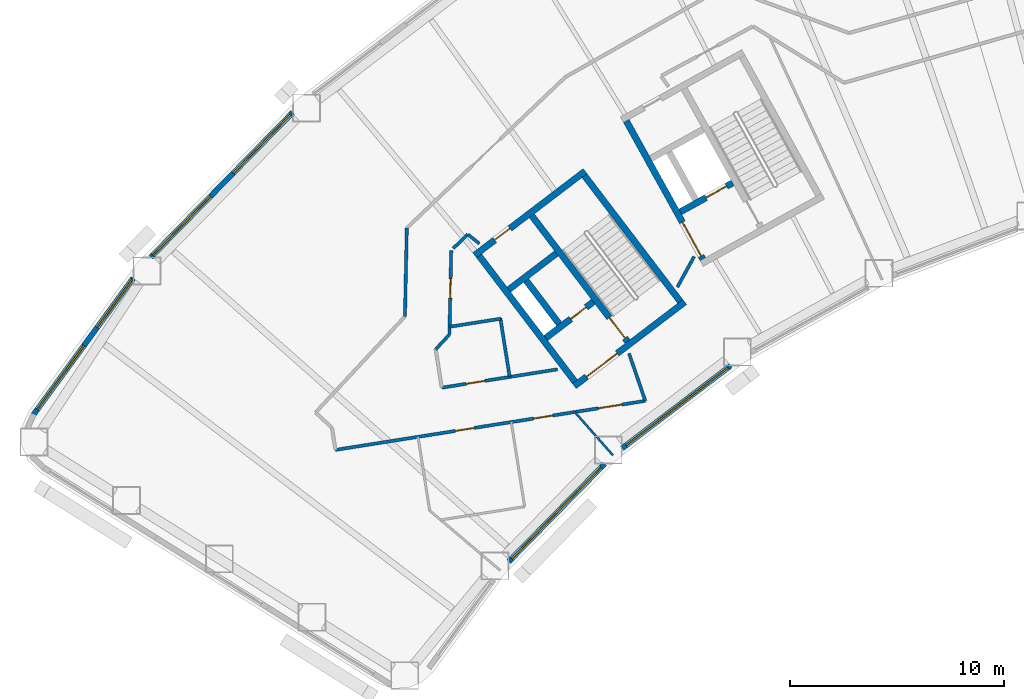
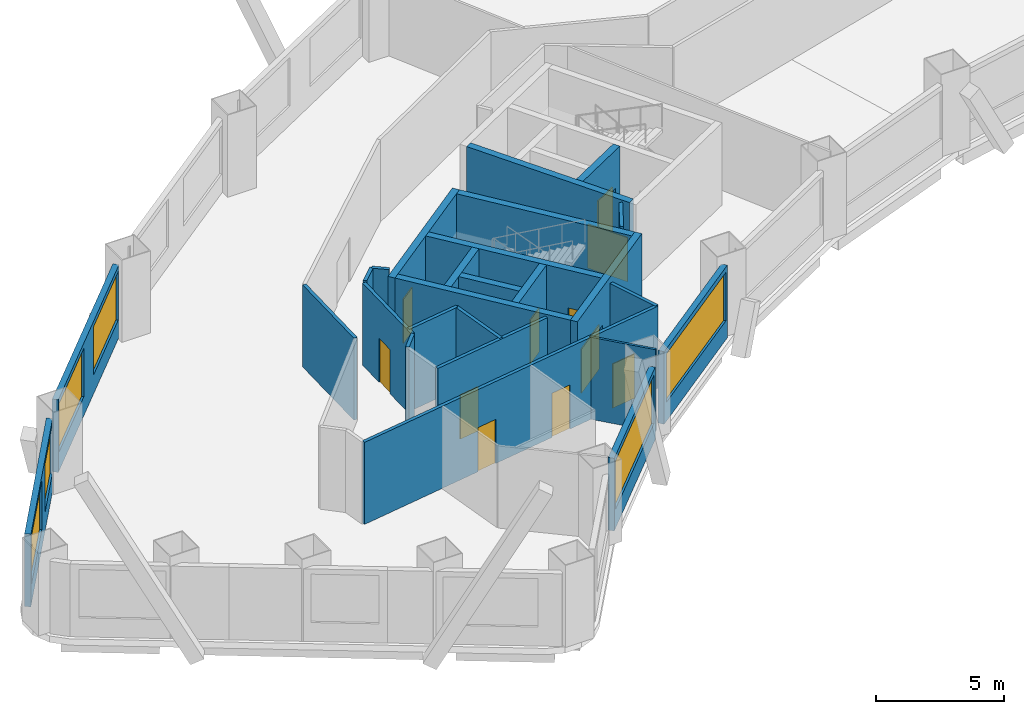
# One storey, part 3 of 11: 26 walls, 11 doors, 6 windows, 17 openings.
"""IFC4 building model written with IfcOpenShell, lengths in metres."""

from ifc_helpers import new_model, si_unit, direction, frame, frame_2d, origin, place, context, subcontext, project, spatial, rectangle, extrude, material, layer, layer_set, type_object, element, fill, save


model = new_model("IFC4")

# Units and contexts
model_context = context("Model", 3, precision=1e-05, world=origin(), true_north=direction((0.0, 1.0)))
body_context = subcontext(model_context, "Body", "Model", "MODEL_VIEW")
ifc_project = project(units=[si_unit("LENGTHUNIT", "METRE"), si_unit("AREAUNIT", "SQUARE_METRE"), si_unit("VOLUMEUNIT", "CUBIC_METRE"), si_unit("PLANEANGLEUNIT", "RADIAN"), si_unit("MASSUNIT", "GRAM", prefix="KILO")], contexts=[model_context])

# Site, building, storey
site_placement = place(None, origin())
site = spatial("IfcSite", under=ifc_project, at=site_placement, CompositionType="ELEMENT")
building_placement = place(site_placement, origin())
building = spatial("IfcBuilding", under=site, at=building_placement, Name="Tuul Gate Civic Tower", CompositionType="ELEMENT")
storey_placement = place(building_placement, frame((0.0, 0.0, 39.89990234375)))
storey = spatial("IfcBuildingStorey", under=building, at=storey_placement, Name="Level 08", CompositionType="ELEMENT", Elevation=39.89990234375)

# Wall, opening, door
ifc_material_1 = material(Name="Concrete C50/60", Category="concrete")
ifc_layer_1 = layer(ifc_material_1, 0.300048828125)
ifc_layer_set_1 = layer_set([ifc_layer_1], Name="Concrete C50/60")
wall_type_1 = type_object("IfcWallType", Name="Core wall C50/60", PredefinedType="SHEAR", material=ifc_layer_set_1)
wall_1_placement = place(storey_placement, frame((-31.19091796875, -13.669677734375, 0.0), z_axis=(0.0, 0.0, 1.0), x_axis=(-0.795606717756, -0.605813461934, 0.0)))
wall_1 = element("IfcWall", 1, at=wall_1_placement, inside=storey, type_object=wall_type_1, Name="Core wall", PredefinedType="SHEAR", context=body_context, shape_type="SweptSolid", body=[
    extrude(rectangle(XDim=6.5, YDim=0.300048828125, at=frame_2d((3.25, 0.0))), origin(), (0.0, 0.0, 1.0), 3.900146484375),
])
opening_1_placement = place(wall_1_placement, frame((3.97509765625, 0.0, 0.0)))
opening_1 = element("IfcOpeningElement", 2, at=opening_1_placement, cuts=wall_1, Name="Opening LB-W1-LOBBY-1", PredefinedType="OPENING", context=body_context, shape_type="SweptSolid", body=[
    extrude(rectangle(XDim=1.800048828125, YDim=2.10009765625, at=frame_2d((0.89990234375, 1.050048828125))), frame((0.0, 0.16015625, 0.0), z_axis=(0.0, -1.0, 0.0), x_axis=(1.0, 0.0, 0.0)), (0.0, 0.0, 1.0), 0.320068359375),
])
ifc_material_2 = material(Name="Steel", Category="steel")
door_type_1 = type_object("IfcDoorType", Name="Lobby door", OperationType="DOUBLE_DOOR_SINGLE_SWING", PredefinedType="DOOR", material=ifc_material_2)
door_1_placement = place(opening_1_placement, origin())
door_1 = element("IfcDoor", 3, at=door_1_placement, inside=storey, type_object=door_type_1, Name="Lobby door W1-LOBBY", OperationType="DOUBLE_DOOR_SINGLE_SWING", OverallHeight=2.10009765625, OverallWidth=1.800048828125, PredefinedType="DOOR", context=body_context, shape_type="SweptSolid", body=[
    extrude(rectangle(XDim=1.800048828125, YDim=2.10009765625, at=frame_2d((0.89990234375, 1.050048828125))), frame((0.0, 0.02490234375, 0.0), z_axis=(0.0, -1.0, 0.0), x_axis=(1.0, 0.0, 0.0)), (0.0, 0.0, 1.0), 0.050048828125),
])
fill(opening_1, door_1)

wall_2_placement = place(storey_placement, frame((-35.470947265625, -13.66064453125, 0.0), z_axis=(0.0, 0.0, 1.0), x_axis=(-0.795615822227, -0.605801504968, 0.0)))
wall_2 = element("IfcWall", 4, at=wall_2_placement, inside=storey, type_object=wall_type_1, Name="Core wall", PredefinedType="SHEAR", context=body_context, shape_type="SweptSolid", body=[
    extrude(rectangle(XDim=2.800048828125, YDim=0.300048828125, at=frame_2d((1.39990234375, 0.0))), origin(), (0.0, 0.0, 1.0), 3.900146484375),
])
opening_2_placement = place(wall_2_placement, frame((0.425048828125, 0.0, 0.0)))
opening_2 = element("IfcOpeningElement", 5, at=opening_2_placement, cuts=wall_2, Name="Opening FB-W1A1", PredefinedType="OPENING", context=body_context, shape_type="SweptSolid", body=[
    extrude(rectangle(XDim=0.89990234375, YDim=2.10009765625, at=frame_2d((0.449951171875, 1.050048828125))), frame((0.0, 0.16015625, 0.0), z_axis=(0.0, -1.0, 0.0), x_axis=(1.0, 0.0, 0.0)), (0.0, 0.0, 1.0), 0.320068359375),
])
ifc_material_3 = material(Name="Steel", Category="steel")
door_type_2 = type_object("IfcDoorType", Name="Store door", OperationType="NOTDEFINED", PredefinedType="DOOR", material=ifc_material_3)
door_2_placement = place(opening_2_placement, frame((0.89990234375, 0.0, 0.0), z_axis=(0.0, 0.0, 1.0), x_axis=(-1.0, 0.0, 0.0)))
door_2 = element("IfcDoor", 6, at=door_2_placement, inside=storey, type_object=door_type_2, Name="Store door W1A1", OperationType="SINGLE_SWING_RIGHT", OverallHeight=2.10009765625, OverallWidth=0.89990234375, PredefinedType="DOOR", context=body_context, shape_type="SweptSolid", body=[
    extrude(rectangle(XDim=0.89990234375, YDim=2.10009765625, at=frame_2d((0.449951171875, 1.050048828125))), frame((0.0, 0.02490234375, 0.0), z_axis=(0.0, -1.0, 0.0), x_axis=(1.0, 0.0, 0.0)), (0.0, 0.0, 1.0), 0.050048828125),
])
fill(opening_2, door_2)

# Wall
wall_3_placement = place(storey_placement, frame((-37.197509765625, -11.39306640625, 0.0), z_axis=(0.0, 0.0, 1.0), x_axis=(-0.795583820278, -0.605843531707, 0.0)))
element("IfcWall", 7, at=wall_3_placement, inside=storey, type_object=wall_type_1, Name="Core wall", PredefinedType="SHEAR", context=body_context, shape_type="SweptSolid", body=[
    extrude(rectangle(XDim=2.7998046875, YDim=0.300048828125, at=frame_2d((1.39990234375, 0.0))), origin(), (0.0, 0.0, 1.0), 3.900146484375),
])

# Wall, opening, door
wall_4_placement = place(storey_placement, frame((-35.855224609375, -7.543212890625, 0.0), z_axis=(0.0, 0.0, 1.0), x_axis=(-0.79563860527, -0.605771582202, 0.0)))
wall_4 = element("IfcWall", 8, at=wall_4_placement, inside=storey, type_object=wall_type_1, Name="Core wall", PredefinedType="SHEAR", context=body_context, shape_type="SweptSolid", body=[
    extrude(rectangle(XDim=6.5, YDim=0.300048828125, at=frame_2d((3.25, 0.0))), origin(), (0.0, 0.0, 1.0), 3.900146484375),
])
opening_3_placement = place(wall_4_placement, frame((4.425048828125, 0.0, 0.0)))
opening_3 = element("IfcOpeningElement", 9, at=opening_3_placement, cuts=wall_4, Name="Opening B-D17", PredefinedType="OPENING", context=body_context, shape_type="SweptSolid", body=[
    extrude(rectangle(XDim=0.89990234375, YDim=2.10009765625, at=frame_2d((0.449951171875, 1.050048828125))), frame((0.0, 0.16015625, 0.0), z_axis=(0.0, -1.0, 0.0), x_axis=(1.0, 0.0, 0.0)), (0.0, 0.0, 1.0), 0.320068359375),
])
ifc_material_4 = material(Name="Timber door leaf", Category="wood")
door_type_3 = type_object("IfcDoorType", Name="Door D09", OperationType="NOTDEFINED", PredefinedType="DOOR", material=ifc_material_4)
door_3_placement = place(opening_3_placement, origin())
door_3 = element("IfcDoor", 10, at=door_3_placement, inside=storey, type_object=door_type_3, Name="Door B-D17", OperationType="SINGLE_SWING_LEFT", OverallHeight=2.10009765625, OverallWidth=0.89990234375, PredefinedType="DOOR", context=body_context, shape_type="SweptSolid", body=[
    extrude(rectangle(XDim=0.89990234375, YDim=2.10009765625, at=frame_2d((0.449951171875, 1.050048828125))), frame((0.0, 0.02490234375, 0.0), z_axis=(0.0, -1.0, 0.0), x_axis=(1.0, 0.0, 0.0)), (0.0, 0.0, 1.0), 0.050048828125),
])
fill(opening_3, door_3)

# Wall
wall_5_placement = place(storey_placement, frame((-31.401123046875, -13.64111328125, 0.0), z_axis=(0.0, 0.0, 1.0), x_axis=(-0.605769822278, 0.795639945213, 0.0)))
element("IfcWall", 11, at=wall_5_placement, inside=storey, type_object=wall_type_1, Name="Core wall", PredefinedType="SHEAR", context=body_context, shape_type="SweptSolid", body=[
    extrude(rectangle(XDim=7.39990234375, YDim=0.300048828125, at=frame_2d((3.699951171875, 0.0))), origin(), (0.0, 0.0, 1.0), 3.900146484375),
])

# Wall, opening, door
wall_6_placement = place(storey_placement, frame((-33.867431640625, -15.51904296875, 0.0), z_axis=(0.0, 0.0, 1.0), x_axis=(-0.605769822278, 0.795639945213, 0.0)))
wall_6 = element("IfcWall", 12, at=wall_6_placement, inside=storey, type_object=wall_type_1, Name="Core wall", PredefinedType="SHEAR", context=body_context, shape_type="SweptSolid", body=[
    extrude(rectangle(XDim=7.39990234375, YDim=0.300048828125, at=frame_2d((3.699951171875, 0.0))), origin(), (0.0, 0.0, 1.0), 3.900146484375),
])
opening_4_placement = place(wall_6_placement, frame((0.199951171875, 0.0, 0.0)))
opening_4 = element("IfcOpeningElement", 13, at=opening_4_placement, cuts=wall_6, Name="Opening SD-ST-1", PredefinedType="OPENING", context=body_context, shape_type="SweptSolid", body=[
    extrude(rectangle(XDim=1.199951171875, YDim=2.10009765625, at=frame_2d((0.60009765625, 1.050048828125))), frame((0.0, 0.16015625, 0.0), z_axis=(0.0, -1.0, 0.0), x_axis=(1.0, 0.0, 0.0)), (0.0, 0.0, 1.0), 0.320068359375),
])
ifc_material_5 = material(Name="Steel", Category="steel")
door_type_4 = type_object("IfcDoorType", Name="Stair door", OperationType="NOTDEFINED", PredefinedType="DOOR", material=ifc_material_5)
door_4_placement = place(opening_4_placement, origin())
door_4 = element("IfcDoor", 14, at=door_4_placement, inside=storey, type_object=door_type_4, Name="Stair door ST-1", OperationType="SINGLE_SWING_LEFT", OverallHeight=2.10009765625, OverallWidth=1.199951171875, PredefinedType="DOOR", context=body_context, shape_type="SweptSolid", body=[
    extrude(rectangle(XDim=1.199951171875, YDim=2.10009765625, at=frame_2d((0.60009765625, 1.050048828125))), frame((0.0, 0.02490234375, 0.0), z_axis=(0.0, -1.0, 0.0), x_axis=(1.0, 0.0, 0.0)), (0.0, 0.0, 1.0), 0.050048828125),
])
fill(opening_4, door_4)

# Walls
wall_7_placement = place(storey_placement, frame((-37.073486328125, -14.6923828125, 0.0), z_axis=(0.0, 0.0, 1.0), x_axis=(-0.605728760074, 0.79567120673, 0.0)))
element("IfcWall", 15, at=wall_7_placement, inside=storey, type_object=wall_type_1, Name="Core wall", PredefinedType="SHEAR", context=body_context, shape_type="SweptSolid", body=[
    extrude(rectangle(XDim=2.550048828125, YDim=0.300048828125, at=frame_2d((1.27490234375, 0.0))), origin(), (0.0, 0.0, 1.0), 3.900146484375),
])
wall_8_placement = place(storey_placement, frame((-36.333984375, -17.397216796875, 0.0), z_axis=(0.0, 0.0, 1.0), x_axis=(-0.605753921168, 0.795652051458, 0.0)))
element("IfcWall", 16, at=wall_8_placement, inside=storey, type_object=wall_type_1, Name="Core wall", PredefinedType="SHEAR", context=body_context, shape_type="SweptSolid", body=[
    extrude(rectangle(XDim=7.400146484375, YDim=0.300048828125, at=frame_2d((3.7001953125, 0.0))), origin(), (0.0, 0.0, 1.0), 3.900146484375),
])

# Wall, opening, door
wall_9_placement = place(storey_placement, frame((-28.94580078125, -8.090087890625, 0.0), z_axis=(0.0, 0.0, 1.0), x_axis=(-0.874629840737, -0.484791338301, 0.0)))
wall_9 = element("IfcWall", 17, at=wall_9_placement, inside=storey, type_object=wall_type_1, Name="Core wall", PredefinedType="SHEAR", context=body_context, shape_type="SweptSolid", body=[
    extrude(rectangle(XDim=2.800048828125, YDim=0.300048828125, at=frame_2d((1.39990234375, 0.0))), origin(), (0.0, 0.0, 1.0), 3.900146484375),
])
opening_5_placement = place(wall_9_placement, frame((0.324951171875, 0.0, 0.0)))
opening_5 = element("IfcOpeningElement", 18, at=opening_5_placement, cuts=wall_9, Name="Opening LD-FF-1", PredefinedType="OPENING", context=body_context, shape_type="SweptSolid", body=[
    extrude(rectangle(XDim=1.10009765625, YDim=2.10009765625, at=frame_2d((0.550048828125, 1.050048828125))), frame((0.0, 0.16015625, 0.0), z_axis=(0.0, -1.0, 0.0), x_axis=(1.0, 0.0, 0.0)), (0.0, 0.0, 1.0), 0.320068359375),
])
ifc_material_6 = material(Name="Stainless steel", Category="steel")
door_type_5 = type_object("IfcDoorType", Name="Landing door", OperationType="DOUBLE_DOOR_SLIDING", PredefinedType="DOOR", material=ifc_material_6)
door_5_placement = place(opening_5_placement, origin())
door_5 = element("IfcDoor", 19, at=door_5_placement, inside=storey, type_object=door_type_5, Name="Fire-fighting lift FF-1 landing door", OperationType="DOUBLE_DOOR_SLIDING", OverallHeight=2.10009765625, OverallWidth=1.10009765625, PredefinedType="DOOR", context=body_context, shape_type="SweptSolid", body=[
    extrude(rectangle(XDim=1.10009765625, YDim=2.10009765625, at=frame_2d((0.550048828125, 1.050048828125))), frame((0.0, 0.02490234375, 0.0), z_axis=(0.0, -1.0, 0.0), x_axis=(1.0, 0.0, 0.0)), (0.0, 0.0, 1.0), 0.050048828125),
])
fill(opening_5, door_5)

wall_10_placement = place(storey_placement, frame((-30.33837890625, -11.6630859375, 0.0), z_axis=(0.0, 0.0, 1.0), x_axis=(-0.484751894226, 0.874651702704, 0.0)))
wall_10 = element("IfcWall", 20, at=wall_10_placement, inside=storey, type_object=wall_type_1, Name="Core wall", PredefinedType="SHEAR", context=body_context, shape_type="SweptSolid", body=[
    extrude(rectangle(XDim=7.39990234375, YDim=0.300048828125, at=frame_2d((3.699951171875, 0.0))), origin(), (0.0, 0.0, 1.0), 3.900146484375),
])
opening_6_placement = place(wall_10_placement, frame((0.175048828125, 0.0, 0.0)))
opening_6 = element("IfcOpeningElement", 21, at=opening_6_placement, cuts=wall_10, Name="Opening LB-W2-FLOBBY-1", PredefinedType="OPENING", context=body_context, shape_type="SweptSolid", body=[
    extrude(rectangle(XDim=1.800048828125, YDim=2.10009765625, at=frame_2d((0.89990234375, 1.050048828125))), frame((0.0, 0.16015625, 0.0), z_axis=(0.0, -1.0, 0.0), x_axis=(1.0, 0.0, 0.0)), (0.0, 0.0, 1.0), 0.320068359375),
])
door_6_placement = place(opening_6_placement, frame((1.800048828125, 0.0, 0.0), z_axis=(0.0, 0.0, 1.0), x_axis=(-1.0, 0.0, 0.0)))
door_6 = element("IfcDoor", 22, at=door_6_placement, inside=storey, type_object=door_type_1, Name="Lobby door W2-FLOBBY", OperationType="DOUBLE_DOOR_SINGLE_SWING", OverallHeight=2.10009765625, OverallWidth=1.800048828125, PredefinedType="DOOR", context=body_context, shape_type="SweptSolid", body=[
    extrude(rectangle(XDim=1.800048828125, YDim=2.10009765625, at=frame_2d((0.900146484375, 1.050048828125))), frame((0.0, 0.02490234375, 0.0), z_axis=(0.0, -1.0, 0.0), x_axis=(1.0, 0.0, 0.0)), (0.0, 0.0, 1.0), 0.050048828125),
])
fill(opening_6, door_6)

# Wall, openings, doors
ifc_material_7 = material(Name="Gypsum board partition")
ifc_layer_2 = layer(ifc_material_7, 0.14990234375)
ifc_layer_set_2 = layer_set([ifc_layer_2], Name="Gypsum board partition")
wall_type_2 = type_object("IfcWallType", Name="Corridor wall P150", PredefinedType="PARTITIONING", material=ifc_layer_set_2)
wall_11_placement = place(storey_placement, frame((-47.546142578125, -20.59619140625, 0.0), z_axis=(0.0, 0.0, 1.0), x_axis=(0.987707387787, 0.156314158386, 0.0)))
wall_11 = element("IfcWall", 23, at=wall_11_placement, inside=storey, type_object=wall_type_2, Name="p035", PredefinedType="PARTITIONING", context=body_context, shape_type="SweptSolid", body=[
    extrude(rectangle(XDim=14.69091796875, YDim=0.14990234375, at=frame_2d((7.345458984375, 0.0))), origin(), (0.0, 0.0, 1.0), 3.900146484375),
])
opening_7_placement = place(wall_11_placement, frame((5.675048828125, 0.0, 0.0)))
opening_7 = element("IfcOpeningElement", 24, at=opening_7_placement, cuts=wall_11, Name="Opening B-D11", PredefinedType="OPENING", context=body_context, shape_type="SweptSolid", body=[
    extrude(rectangle(XDim=0.89990234375, YDim=2.10009765625, at=frame_2d((0.449951171875, 1.050048828125))), frame((0.0, 0.0849609375, 0.0), z_axis=(0.0, -1.0, 0.0), x_axis=(1.0, 0.0, 0.0)), (0.0, 0.0, 1.0), 0.169921875),
])
opening_8_placement = place(wall_11_placement, frame((9.39404296875, 0.0, 0.0)))
opening_8 = element("IfcOpeningElement", 25, at=opening_8_placement, cuts=wall_11, Name="Opening B-D13", PredefinedType="OPENING", context=body_context, shape_type="SweptSolid", body=[
    extrude(rectangle(XDim=0.89990234375, YDim=2.10009765625, at=frame_2d((0.449951171875, 1.050048828125))), frame((0.0, 0.0849609375, 0.0), z_axis=(0.0, -1.0, 0.0), x_axis=(1.0, 0.0, 0.0)), (0.0, 0.0, 1.0), 0.169921875),
])
opening_9_placement = place(wall_11_placement, frame((12.468505859375, 0.0, 0.0)))
opening_9 = element("IfcOpeningElement", 26, at=opening_9_placement, cuts=wall_11, Name="Opening B-D16", PredefinedType="OPENING", context=body_context, shape_type="SweptSolid", body=[
    extrude(rectangle(XDim=1.10009765625, YDim=2.10009765625, at=frame_2d((0.550048828125, 1.050048828125))), frame((0.0, 0.0849609375, 0.0), z_axis=(0.0, -1.0, 0.0), x_axis=(1.0, 0.0, 0.0)), (0.0, 0.0, 1.0), 0.169921875),
])
door_7_placement = place(opening_7_placement, frame((0.89990234375, 0.0, 0.0), z_axis=(0.0, 0.0, 1.0), x_axis=(-1.0, 0.0, 0.0)))
door_7 = element("IfcDoor", 27, at=door_7_placement, inside=storey, type_object=door_type_3, Name="Door B-D11", OperationType="SINGLE_SWING_LEFT", OverallHeight=2.10009765625, OverallWidth=0.89990234375, PredefinedType="DOOR", context=body_context, shape_type="SweptSolid", body=[
    extrude(rectangle(XDim=0.89990234375, YDim=2.10009765625, at=frame_2d((0.449951171875, 1.050048828125))), frame((0.0, 0.02490234375, 0.0), z_axis=(0.0, -1.0, 0.0), x_axis=(1.0, 0.0, 0.0)), (0.0, 0.0, 1.0), 0.050048828125),
])
fill(opening_7, door_7)
door_8_placement = place(opening_8_placement, frame((0.89990234375, 0.0, 0.0), z_axis=(0.0, 0.0, 1.0), x_axis=(-1.0, 0.0, 0.0)))
door_8 = element("IfcDoor", 28, at=door_8_placement, inside=storey, type_object=door_type_3, Name="Door B-D13", OperationType="SINGLE_SWING_RIGHT", OverallHeight=2.10009765625, OverallWidth=0.89990234375, PredefinedType="DOOR", context=body_context, shape_type="SweptSolid", body=[
    extrude(rectangle(XDim=0.89990234375, YDim=2.10009765625, at=frame_2d((0.449951171875, 1.050048828125))), frame((0.0, 0.02490234375, 0.0), z_axis=(0.0, -1.0, 0.0), x_axis=(1.0, 0.0, 0.0)), (0.0, 0.0, 1.0), 0.050048828125),
])
fill(opening_8, door_8)
ifc_material_8 = material(Name="Timber door leaf", Category="wood")
door_type_6 = type_object("IfcDoorType", Name="Door D11", OperationType="NOTDEFINED", PredefinedType="DOOR", material=ifc_material_8)
door_9_placement = place(opening_9_placement, frame((1.10009765625, 0.0, 0.0), z_axis=(0.0, 0.0, 1.0), x_axis=(-1.0, 0.0, 0.0)))
door_9 = element("IfcDoor", 29, at=door_9_placement, inside=storey, type_object=door_type_6, Name="Door B-D16", OperationType="SINGLE_SWING_RIGHT", OverallHeight=2.10009765625, OverallWidth=1.10009765625, PredefinedType="DOOR", context=body_context, shape_type="SweptSolid", body=[
    extrude(rectangle(XDim=1.10009765625, YDim=2.10009765625, at=frame_2d((0.550048828125, 1.050048828125))), frame((0.0, 0.02490234375, 0.0), z_axis=(0.0, -1.0, 0.0), x_axis=(1.0, 0.0, 0.0)), (0.0, 0.0, 1.0), 0.050048828125),
])
fill(opening_9, door_9)

# Walls
wall_12_placement = place(storey_placement, frame((-44.291259765625, -14.34033203125, 0.0), z_axis=(0.0, 0.0, 1.0), x_axis=(0.020653092472, 0.999786702138, 0.0)))
element("IfcWall", 30, at=wall_12_placement, inside=storey, type_object=wall_type_2, Name="p038", PredefinedType="PARTITIONING", context=body_context, shape_type="SweptSolid", body=[
    extrude(rectangle(XDim=4.137451171875, YDim=0.14990234375, at=frame_2d((2.06884765625, 0.0))), origin(), (0.0, 0.0, 1.0), 3.900146484375),
])
wall_13_placement = place(storey_placement, frame((-33.797607421875, -16.077392578125, 0.0), z_axis=(0.0, 0.0, 1.0), x_axis=(0.324510337468, -0.945882149571, 0.0)))
element("IfcWall", 31, at=wall_13_placement, inside=storey, type_object=wall_type_2, Name="p048", PredefinedType="PARTITIONING", context=body_context, shape_type="SweptSolid", body=[
    extrude(rectangle(XDim=2.348876953125, YDim=0.14990234375, at=frame_2d((1.17431640625, 0.0))), origin(), (0.0, 0.0, 1.0), 3.900146484375),
])
wall_14_placement = place(storey_placement, frame((-31.532958984375, -12.971435546875, 0.0), z_axis=(0.0, 0.0, 1.0), x_axis=(0.480067911301, 0.877231326697, 0.0)))
element("IfcWall", 32, at=wall_14_placement, inside=storey, type_object=wall_type_2, Name="p049", PredefinedType="PARTITIONING", context=body_context, shape_type="SweptSolid", body=[
    extrude(rectangle(XDim=1.63134765625, YDim=0.14990234375, at=frame_2d((0.815673828125, 0.0))), origin(), (0.0, 0.0, 1.0), 3.900146484375),
])
wall_15_placement = place(storey_placement, frame((-42.852783203125, -15.885009765625, 0.0), z_axis=(0.0, 0.0, 1.0), x_axis=(0.681609338195, 0.73171627704, 0.0)))
element("IfcWall", 33, at=wall_15_placement, inside=storey, type_object=wall_type_2, Name="p056", PredefinedType="PARTITIONING", context=body_context, shape_type="SweptSolid", body=[
    extrude(rectangle(XDim=0.9453125, YDim=0.14990234375, at=frame_2d((0.47265625, 0.0))), origin(), (0.0, 0.0, 1.0), 3.900146484375),
])

# Wall, opening, door
wall_16_placement = place(storey_placement, frame((-42.20849609375, -15.193359375, 0.0), z_axis=(0.0, 0.0, 1.0), x_axis=(0.020844316115, 0.999782733641, 0.0)))
wall_16 = element("IfcWall", 34, at=wall_16_placement, inside=storey, type_object=wall_type_2, Name="p057", PredefinedType="PARTITIONING", context=body_context, shape_type="SweptSolid", body=[
    extrude(rectangle(XDim=3.935546875, YDim=0.14990234375, at=frame_2d((1.9677734375, 0.0))), origin(), (0.0, 0.0, 1.0), 3.900146484375),
])
opening_10_placement = place(wall_16_placement, frame((1.7119140625, 0.0, 0.0)))
opening_10 = element("IfcOpeningElement", 35, at=opening_10_placement, cuts=wall_16, Name="Opening B-D14", PredefinedType="OPENING", context=body_context, shape_type="SweptSolid", body=[
    extrude(rectangle(XDim=0.89990234375, YDim=2.10009765625, at=frame_2d((0.449951171875, 1.050048828125))), frame((0.0, 0.0849609375, 0.0), z_axis=(0.0, -1.0, 0.0), x_axis=(1.0, 0.0, 0.0)), (0.0, 0.0, 1.0), 0.169921875),
])
door_10_placement = place(opening_10_placement, frame((0.89990234375, 0.0, 0.0), z_axis=(0.0, 0.0, 1.0), x_axis=(-1.0, 0.0, 0.0)))
door_10 = element("IfcDoor", 36, at=door_10_placement, inside=storey, type_object=door_type_3, Name="Door B-D14", OperationType="SINGLE_SWING_RIGHT", OverallHeight=2.10009765625, OverallWidth=0.89990234375, PredefinedType="DOOR", context=body_context, shape_type="SweptSolid", body=[
    extrude(rectangle(XDim=0.89990234375, YDim=2.10009765625, at=frame_2d((0.449951171875, 1.050048828125))), frame((0.0, 0.02490234375, 0.0), z_axis=(0.0, -1.0, 0.0), x_axis=(1.0, 0.0, 0.0)), (0.0, 0.0, 1.0), 0.050048828125),
])
fill(opening_10, door_10)

# Walls
wall_17_placement = place(storey_placement, frame((-42.200927734375, -14.829833984375, 0.0), z_axis=(0.0, 0.0, 1.0), x_axis=(0.987711638191, 0.156287298848, 0.0)))
element("IfcWall", 37, at=wall_17_placement, inside=storey, type_object=wall_type_2, Name="p058", PredefinedType="PARTITIONING", context=body_context, shape_type="SweptSolid", body=[
    extrude(rectangle(XDim=2.43212890625, YDim=0.14990234375, at=frame_2d((1.216064453125, 0.0))), origin(), (0.0, 0.0, 1.0), 3.900146484375),
])
wall_18_placement = place(storey_placement, frame((-39.82275390625, -14.43212890625, 0.0), z_axis=(0.0, 0.0, 1.0), x_axis=(0.156350251812, -0.98770167498, 0.0)))
element("IfcWall", 38, at=wall_18_placement, inside=storey, type_object=wall_type_2, Name="p059", PredefinedType="PARTITIONING", context=body_context, shape_type="SweptSolid", body=[
    extrude(rectangle(XDim=2.781005859375, YDim=0.14990234375, at=frame_2d((1.390625, 0.0))), origin(), (0.0, 0.0, 1.0), 3.900146484375),
])

# Wall, opening, door
wall_19_placement = place(storey_placement, frame((-42.568359375, -17.682373046875, 0.0), z_axis=(0.0, 0.0, 1.0), x_axis=(0.987706271682, 0.156321210588, 0.0)))
wall_19 = element("IfcWall", 39, at=wall_19_placement, inside=storey, type_object=wall_type_2, Name="p060", PredefinedType="PARTITIONING", context=body_context, shape_type="SweptSolid", body=[
    extrude(rectangle(XDim=5.488037109375, YDim=0.14990234375, at=frame_2d((2.744140625, 0.0))), origin(), (0.0, 0.0, 1.0), 3.900146484375),
])
opening_11_placement = place(wall_19_placement, frame((1.159912109375, 0.0, 0.0)))
opening_11 = element("IfcOpeningElement", 40, at=opening_11_placement, cuts=wall_19, Name="Opening B-D12", PredefinedType="OPENING", context=body_context, shape_type="SweptSolid", body=[
    extrude(rectangle(XDim=0.89990234375, YDim=2.10009765625, at=frame_2d((0.449951171875, 1.050048828125))), frame((0.0, 0.0849609375, 0.0), z_axis=(0.0, -1.0, 0.0), x_axis=(1.0, 0.0, 0.0)), (0.0, 0.0, 1.0), 0.169921875),
])
door_11_placement = place(opening_11_placement, origin())
door_11 = element("IfcDoor", 41, at=door_11_placement, inside=storey, type_object=door_type_3, Name="Door B-D12", OperationType="SINGLE_SWING_RIGHT", OverallHeight=2.10009765625, OverallWidth=0.89990234375, PredefinedType="DOOR", context=body_context, shape_type="SweptSolid", body=[
    extrude(rectangle(XDim=0.89990234375, YDim=2.10009765625, at=frame_2d((0.449951171875, 1.050048828125))), frame((0.0, 0.02490234375, 0.0), z_axis=(0.0, -1.0, 0.0), x_axis=(1.0, 0.0, 0.0)), (0.0, 0.0, 1.0), 0.050048828125),
])
fill(opening_11, door_11)

# Walls
wall_20_placement = place(storey_placement, frame((-41.3466796875, -10.502685546875, 0.0), z_axis=(0.0, 0.0, 1.0), x_axis=(0.780215151957, -0.625511244229, 0.0)))
element("IfcWall", 42, at=wall_20_placement, inside=storey, type_object=wall_type_2, Name="p063", PredefinedType="PARTITIONING", context=body_context, shape_type="SweptSolid", body=[
    extrude(rectangle(XDim=0.69287109375, YDim=0.14990234375, at=frame_2d((0.346435546875, 0.0))), origin(), (0.0, 0.0, 1.0), 3.900146484375),
])
wall_21_placement = place(storey_placement, frame((-42.031982421875, -11.1591796875, 0.0), z_axis=(0.0, 0.0, 1.0), x_axis=(0.722122058675, 0.691765662906, 0.0)))
element("IfcWall", 43, at=wall_21_placement, inside=storey, type_object=wall_type_2, Name="p064", PredefinedType="PARTITIONING", context=body_context, shape_type="SweptSolid", body=[
    extrude(rectangle(XDim=0.948974609375, YDim=0.14990234375, at=frame_2d((0.474609375, 0.0))), origin(), (0.0, 0.0, 1.0), 3.900146484375),
])

# Wall, openings, windows
ifc_material_9 = material(Name="Precast concrete C40/50", Category="concrete")
ifc_layer_3 = layer(ifc_material_9, 0.25)
ifc_layer_set_3 = layer_set([ifc_layer_3], Name="Precast concrete C40/50")
wall_type_3 = type_object("IfcWallType", Name="External wall", PredefinedType="STANDARD", material=ifc_layer_set_3)
wall_22_placement = place(storey_placement, frame((-49.548095703125, -4.791748046875, 0.0), z_axis=(0.0, 0.0, 1.0), x_axis=(-0.699994476854, -0.714148256578, 0.0)))
wall_22 = element("IfcWall", 44, at=wall_22_placement, inside=storey, type_object=wall_type_3, Name="External wall", PredefinedType="STANDARD", context=body_context, shape_type="SweptSolid", body=[
    extrude(rectangle(XDim=9.487060546875, YDim=0.25, at=frame_2d((4.74365234375, 0.0))), origin(), (0.0, 0.0, 1.0), 3.4501953125),
])
opening_12_placement = place(wall_22_placement, frame((0.13037109375, 0.0, 0.89990234375)))
opening_12 = element("IfcOpeningElement", 45, at=opening_12_placement, cuts=wall_22, Name="Opening W22", PredefinedType="OPENING", context=body_context, shape_type="SweptSolid", body=[
    extrude(rectangle(XDim=3.85009765625, YDim=2.300048828125, at=frame_2d((1.925048828125, 1.14990234375))), frame((0.0, 0.135009765625, 0.0), z_axis=(0.0, -1.0, 0.0), x_axis=(1.0, 0.0, 0.0)), (0.0, 0.0, 1.0), 0.27001953125),
])
opening_13_placement = place(wall_22_placement, frame((5.501708984375, 0.0, 0.89990234375)))
opening_13 = element("IfcOpeningElement", 46, at=opening_13_placement, cuts=wall_22, Name="Opening W22", PredefinedType="OPENING", context=body_context, shape_type="SweptSolid", body=[
    extrude(rectangle(XDim=3.85009765625, YDim=2.300048828125, at=frame_2d((1.925048828125, 1.14990234375))), frame((0.0, 0.135009765625, 0.0), z_axis=(0.0, -1.0, 0.0), x_axis=(1.0, 0.0, 0.0)), (0.0, 0.0, 1.0), 0.27001953125),
])
ifc_material_10 = material(Name="Glass", Category="glass")
window_type_1 = type_object("IfcWindowType", Name="Window W22 3850 x 2300", PartitioningType="SINGLE_PANEL", PredefinedType="WINDOW", material=ifc_material_10)
window_1_placement = place(opening_12_placement, origin())
window_1 = element("IfcWindow", 47, at=window_1_placement, inside=storey, type_object=window_type_1, Name="Window", OverallHeight=2.300048828125, OverallWidth=3.85009765625, PartitioningType="SINGLE_PANEL", PredefinedType="WINDOW", context=body_context, shape_type="SweptSolid", body=[
    extrude(rectangle(XDim=3.85009765625, YDim=2.300048828125, at=frame_2d((1.925048828125, 1.14990234375))), frame((0.0, 0.030029296875, 0.0), z_axis=(0.0, -1.0, 0.0), x_axis=(1.0, 0.0, 0.0)), (0.0, 0.0, 1.0), 0.06005859375),
])
fill(opening_12, window_1)
window_2_placement = place(opening_13_placement, origin())
window_2 = element("IfcWindow", 48, at=window_2_placement, inside=storey, type_object=window_type_1, Name="Window", OverallHeight=2.300048828125, OverallWidth=3.85009765625, PartitioningType="SINGLE_PANEL", PredefinedType="WINDOW", context=body_context, shape_type="SweptSolid", body=[
    extrude(rectangle(XDim=3.85009765625, YDim=2.300048828125, at=frame_2d((1.925048828125, 1.14990234375))), frame((0.0, 0.030029296875, 0.0), z_axis=(0.0, -1.0, 0.0), x_axis=(1.0, 0.0, 0.0)), (0.0, 0.0, 1.0), 0.06005859375),
])
fill(opening_13, window_2)

wall_23_placement = place(storey_placement, frame((-57.02197265625, -12.556884765625, 0.0), z_axis=(0.0, 0.0, 1.0), x_axis=(-0.589806928208, -0.807544294412, 0.0)))
wall_23 = element("IfcWall", 49, at=wall_23_placement, inside=storey, type_object=wall_type_3, Name="External wall", PredefinedType="STANDARD", context=body_context, shape_type="SweptSolid", body=[
    extrude(rectangle(XDim=7.912841796875, YDim=0.25, at=frame_2d((3.95654296875, 0.0))), origin(), (0.0, 0.0, 1.0), 3.4501953125),
])
opening_14_placement = place(wall_23_placement, frame((0.060791015625, 0.0, 0.89990234375)))
opening_14 = element("IfcOpeningElement", 50, at=opening_14_placement, cuts=wall_23, Name="Opening W23", PredefinedType="OPENING", context=body_context, shape_type="SweptSolid", body=[
    extrude(rectangle(XDim=2.800048828125, YDim=2.300048828125, at=frame_2d((1.39990234375, 1.14990234375))), frame((0.0, 0.135009765625, 0.0), z_axis=(0.0, -1.0, 0.0), x_axis=(1.0, 0.0, 0.0)), (0.0, 0.0, 1.0), 0.27001953125),
])
opening_15_placement = place(wall_23_placement, frame((3.912109375, 0.0, 0.89990234375)))
opening_15 = element("IfcOpeningElement", 51, at=opening_15_placement, cuts=wall_23, Name="Opening W21", PredefinedType="OPENING", context=body_context, shape_type="SweptSolid", body=[
    extrude(rectangle(XDim=3.699951171875, YDim=2.300048828125, at=frame_2d((1.85009765625, 1.14990234375))), frame((0.0, 0.135009765625, 0.0), z_axis=(0.0, -1.0, 0.0), x_axis=(1.0, 0.0, 0.0)), (0.0, 0.0, 1.0), 0.27001953125),
])
ifc_material_11 = material(Name="Glass", Category="glass")
window_type_2 = type_object("IfcWindowType", Name="Window W21 3700 x 2300", PartitioningType="SINGLE_PANEL", PredefinedType="WINDOW", material=ifc_material_11)
window_3_placement = place(opening_15_placement, origin())
window_3 = element("IfcWindow", 52, at=window_3_placement, inside=storey, type_object=window_type_2, Name="Window", OverallHeight=2.300048828125, OverallWidth=3.699951171875, PartitioningType="SINGLE_PANEL", PredefinedType="WINDOW", context=body_context, shape_type="SweptSolid", body=[
    extrude(rectangle(XDim=3.699951171875, YDim=2.300048828125, at=frame_2d((1.85009765625, 1.14990234375))), frame((0.0, 0.030029296875, 0.0), z_axis=(0.0, -1.0, 0.0), x_axis=(1.0, 0.0, 0.0)), (0.0, 0.0, 1.0), 0.06005859375),
])
fill(opening_15, window_3)
ifc_material_12 = material(Name="Glass", Category="glass")
window_type_3 = type_object("IfcWindowType", Name="Window W23 2800 x 2300", PartitioningType="SINGLE_PANEL", PredefinedType="WINDOW", material=ifc_material_12)
window_4_placement = place(opening_14_placement, origin())
window_4 = element("IfcWindow", 53, at=window_4_placement, inside=storey, type_object=window_type_3, Name="Window", OverallHeight=2.300048828125, OverallWidth=2.800048828125, PartitioningType="SINGLE_PANEL", PredefinedType="WINDOW", context=body_context, shape_type="SweptSolid", body=[
    extrude(rectangle(XDim=2.800048828125, YDim=2.300048828125, at=frame_2d((1.39990234375, 1.14990234375))), frame((0.0, 0.030029296875, 0.0), z_axis=(0.0, -1.0, 0.0), x_axis=(1.0, 0.0, 0.0)), (0.0, 0.0, 1.0), 0.06005859375),
])
fill(opening_14, window_4)

# Wall, opening, window
wall_24_placement = place(storey_placement, frame((-39.430908203125, -25.827392578125, 0.0), z_axis=(0.0, 0.0, 1.0), x_axis=(0.699998211198, 0.714144596227, 0.0)))
wall_24 = element("IfcWall", 54, at=wall_24_placement, inside=storey, type_object=wall_type_3, Name="External wall", PredefinedType="STANDARD", context=body_context, shape_type="SweptSolid", body=[
    extrude(rectangle(XDim=6.40283203125, YDim=0.25, at=frame_2d((3.201416015625, 0.0))), origin(), (0.0, 0.0, 1.0), 3.4501953125),
])
opening_16_placement = place(wall_24_placement, frame((0.19873046875, 0.0, 0.89990234375)))
opening_16 = element("IfcOpeningElement", 55, at=opening_16_placement, cuts=wall_24, Name="Opening W26", PredefinedType="OPENING", context=body_context, shape_type="SweptSolid", body=[
    extrude(rectangle(XDim=6.0, YDim=2.300048828125, at=frame_2d((3.0, 1.14990234375))), frame((0.0, 0.135009765625, 0.0), z_axis=(0.0, -1.0, 0.0), x_axis=(1.0, 0.0, 0.0)), (0.0, 0.0, 1.0), 0.27001953125),
])
ifc_material_13 = material(Name="Glass", Category="glass")
window_type_4 = type_object("IfcWindowType", Name="Window W26 6000 x 2300", PartitioningType="SINGLE_PANEL", PredefinedType="WINDOW", material=ifc_material_13)
window_5_placement = place(opening_16_placement, origin())
window_5 = element("IfcWindow", 56, at=window_5_placement, inside=storey, type_object=window_type_4, Name="Window", OverallHeight=2.300048828125, OverallWidth=6.0, PartitioningType="SINGLE_PANEL", PredefinedType="WINDOW", context=body_context, shape_type="SweptSolid", body=[
    extrude(rectangle(XDim=6.0, YDim=2.300048828125, at=frame_2d((3.0, 1.14990234375))), frame((0.0, 0.030029296875, 0.0), z_axis=(0.0, -1.0, 0.0), x_axis=(1.0, 0.0, 0.0)), (0.0, 0.0, 1.0), 0.06005859375),
])
fill(opening_16, window_5)

wall_25_placement = place(storey_placement, frame((-34.116943359375, -20.5185546875, 0.0), z_axis=(0.0, 0.0, 1.0), x_axis=(0.795571471624, 0.605859747416, 0.0)))
wall_25 = element("IfcWall", 57, at=wall_25_placement, inside=storey, type_object=wall_type_3, Name="External wall", PredefinedType="STANDARD", context=body_context, shape_type="SweptSolid", body=[
    extrude(rectangle(XDim=6.375244140625, YDim=0.25, at=frame_2d((3.1875, 0.0))), origin(), (0.0, 0.0, 1.0), 3.4501953125),
])
opening_17_placement = place(wall_25_placement, frame((0.226806640625, 0.0, 0.89990234375)))
opening_17 = element("IfcOpeningElement", 58, at=opening_17_placement, cuts=wall_25, Name="Opening W26", PredefinedType="OPENING", context=body_context, shape_type="SweptSolid", body=[
    extrude(rectangle(XDim=6.0, YDim=2.300048828125, at=frame_2d((3.0, 1.14990234375))), frame((0.0, 0.135009765625, 0.0), z_axis=(0.0, -1.0, 0.0), x_axis=(1.0, 0.0, 0.0)), (0.0, 0.0, 1.0), 0.27001953125),
])
window_6_placement = place(opening_17_placement, origin())
window_6 = element("IfcWindow", 59, at=window_6_placement, inside=storey, type_object=window_type_4, Name="Window", OverallHeight=2.300048828125, OverallWidth=6.0, PartitioningType="SINGLE_PANEL", PredefinedType="WINDOW", context=body_context, shape_type="SweptSolid", body=[
    extrude(rectangle(XDim=6.0, YDim=2.300048828125, at=frame_2d((3.0, 1.14990234375))), frame((0.0, 0.030029296875, 0.0), z_axis=(0.0, -1.0, 0.0), x_axis=(1.0, 0.0, 0.0)), (0.0, 0.0, 1.0), 0.06005859375),
])
fill(opening_17, window_6)

# Wall
ifc_material_14 = material(Name="Gypsum board partition")
ifc_layer_4 = layer(ifc_material_14, 0.10009765625)
ifc_layer_set_4 = layer_set([ifc_layer_4], Name="Gypsum board partition")
wall_type_4 = type_object("IfcWallType", Name="Partition P100", PredefinedType="PARTITIONING", material=ifc_layer_set_4)
wall_26_placement = place(storey_placement, frame((-36.33935546875, -18.822509765625, 0.0), z_axis=(0.0, 0.0, 1.0), x_axis=(0.661690219686, -0.749777335728, 0.0)))
element("IfcWall", 60, at=wall_26_placement, inside=storey, type_object=wall_type_4, Name="p052", PredefinedType="PARTITIONING", context=body_context, shape_type="SweptSolid", body=[
    extrude(rectangle(XDim=2.707763671875, YDim=0.10009765625, at=frame_2d((1.35400390625, 0.0))), origin(), (0.0, 0.0, 1.0), 3.900146484375),
])

save(model, "model.ifc")
